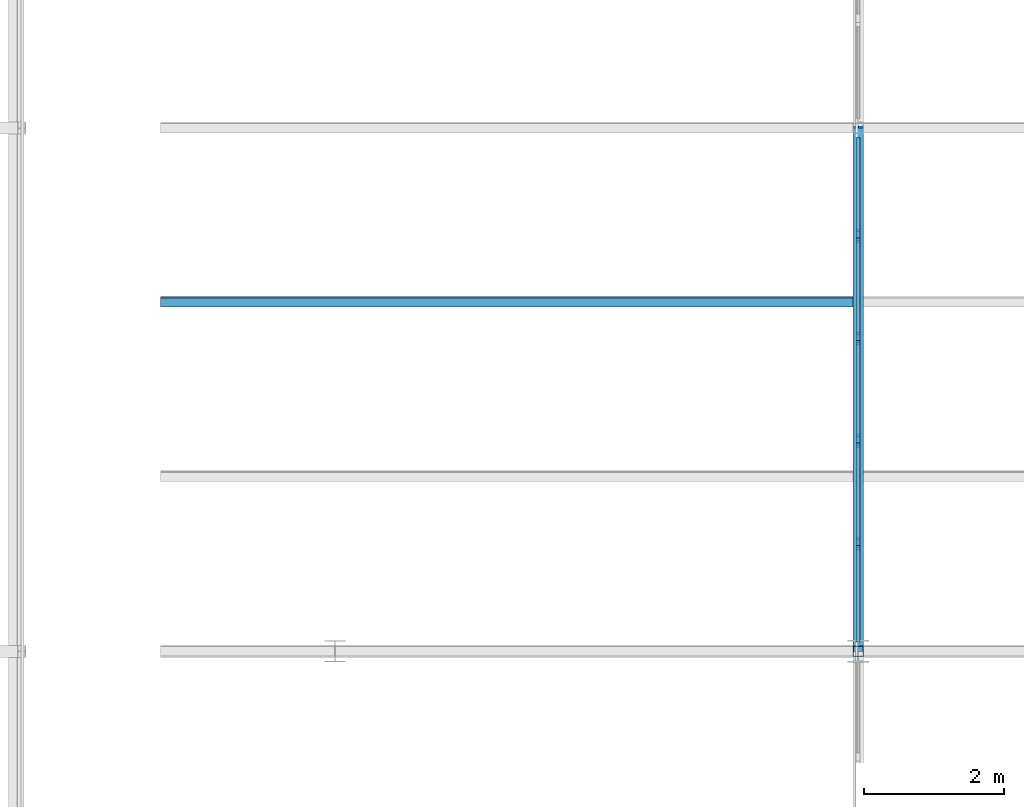
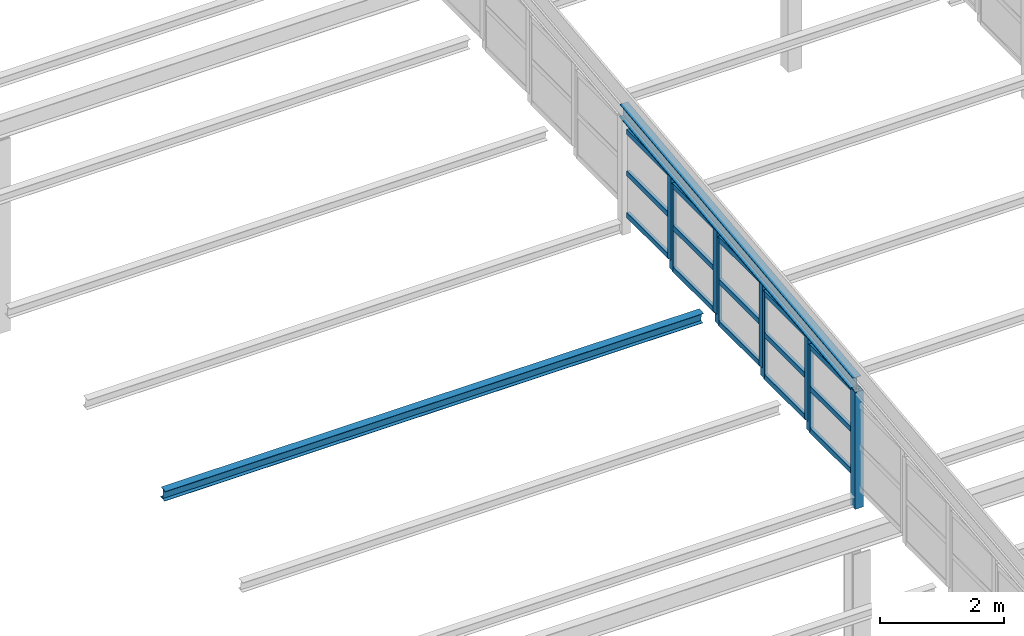
# One storey, part 60 of 483: 25 members, 1 beam, 5 elements without a shape of their own.
"""IFC4 building model written with IfcOpenShell, lengths in metres."""

import ifcopenshell
import ifcopenshell.guid

model = None  # the IFC model being written
_history = None  # IfcOwnerHistory: only IFC2X3 demands one
_inside = {}  # id of a spatial element -> (the spatial element, [elements in it])
_under = {}  # id of a project, library or spatial element -> (it, [spatial elements below it])
_declared = {}  # id of a project -> (the project, [libraries it declares])
_typed = {}  # id of a type object -> (the type object, [elements of that type])
_made_of = {}  # id of a material, layer set ... -> (it, [elements and type objects made of it])


def new_model(schema):
    """Start an empty IFC model of exactly this schema.

    Asked for "IFC4X3", IfcOpenShell would pick the latest addendum, in which some entities
    have other attributes; the version numbers below select the first issue.
    IFC2X3 requires an IfcOwnerHistory on every rooted entity: one is made here for all.
    """
    global model, _history
    if schema == "IFC4X3":
        model = ifcopenshell.file(schema_version=(4, 3, 0, 0))
    else:
        model = ifcopenshell.file(schema=schema)
    _inside.clear()
    _under.clear()
    _declared.clear()
    _typed.clear()
    _made_of.clear()
    _history = None
    if model.schema == "IFC2X3":
        org = make("IfcOrganization", Name="unknown")
        user = make(
            "IfcPersonAndOrganization",
            ThePerson=make("IfcPerson", FamilyName="unknown"),
            TheOrganization=org,
        )
        app = make(
            "IfcApplication",
            ApplicationDeveloper=org,
            Version="unknown",
            ApplicationFullName="unknown",
            ApplicationIdentifier="unknown",
        )
        _history = make(
            "IfcOwnerHistory",
            OwningUser=user,
            OwningApplication=app,
            ChangeAction="ADDED",
            CreationDate=0,
        )
    return model


def make(cls, **values):
    """One entity of the class cls with the attributes given. An attribute that is None is left unset."""
    return model.create_entity(
        cls, **{name: value for name, value in values.items() if value is not None}
    )


def rooted(cls, **values):
    """An entity with a GlobalId (a new one), such as an element, a storey or a relation."""
    return make(cls, GlobalId=ifcopenshell.guid.new(), OwnerHistory=_history, **values)


def si_unit(unit_type, name, prefix=None):
    """IfcSIUnit, for example si_unit("LENGTHUNIT", "METRE", prefix="MILLI")."""
    return make("IfcSIUnit", UnitType=unit_type, Prefix=prefix, Name=name)


def assignment(units):
    """IfcUnitAssignment: the units of a project."""
    return None if units is None else make("IfcUnitAssignment", Units=units)


def point(xyz):
    """IfcCartesianPoint."""
    return None if xyz is None else make("IfcCartesianPoint", Coordinates=xyz)


def direction(xyz):
    """IfcDirection."""
    return None if xyz is None else make("IfcDirection", DirectionRatios=xyz)


def frame(location, z_axis=None, x_axis=None):
    """IfcAxis2Placement3D, a coordinate frame: its origin and axes. An axis left out is left unset."""
    return make(
        "IfcAxis2Placement3D",
        Location=point(location),
        Axis=direction(z_axis),
        RefDirection=direction(x_axis),
    )


def frame_2d(location, x_axis=None):
    """IfcAxis2Placement2D, a coordinate frame in the plane: its origin and x axis."""
    return make(
        "IfcAxis2Placement2D", Location=point(location), RefDirection=direction(x_axis)
    )


def origin():
    """The frame at (0, 0, 0) with its axes left unset."""
    return frame((0.0, 0.0, 0.0))


def origin_2d():
    """The frame at (0, 0) in the plane with its x axis left unset."""
    return frame_2d((0.0, 0.0))


def place(relative_to, where):
    """IfcLocalPlacement: puts the frame where relative to a parent placement (None: the world)."""
    return make(
        "IfcLocalPlacement", PlacementRelTo=relative_to, RelativePlacement=where
    )


def context(
    kind, dimensions, precision=None, world=None, true_north=None, identifier=None
):
    """IfcGeometricRepresentationContext, for example the 3D "Model" context."""
    return make(
        "IfcGeometricRepresentationContext",
        ContextIdentifier=identifier,
        ContextType=kind,
        CoordinateSpaceDimension=dimensions,
        Precision=precision,
        WorldCoordinateSystem=world,
        TrueNorth=true_north,
    )


def subcontext(parent, identifier, kind, view, scale=None):
    """IfcGeometricRepresentationSubContext, for example "Body" below "Model"."""
    return make(
        "IfcGeometricRepresentationSubContext",
        ContextIdentifier=identifier,
        ContextType=kind,
        ParentContext=parent,
        TargetScale=scale,
        TargetView=view,
    )


def project(units=None, contexts=None):
    """IfcProject with its units and contexts."""
    return rooted(
        "IfcProject",
        Name="project",
        RepresentationContexts=contexts,
        UnitsInContext=assignment(units),
    )


def spatial(cls, under=None, at=None, **own):
    """A site, building, storey or space (cls), placed at a placement, below another one or the project."""
    s = rooted(cls, ObjectPlacement=at, **own)
    if under is not None:
        _under.setdefault(under.id(), (under, []))[1].append(s)
    return s


def profile(cls, at=None, kind="AREA", **sizes):
    """A parametric profile (cls). Its sizes go by their IFC names, for example OverallWidth=200.0."""
    return make(cls, ProfileType=kind, Position=at, **sizes)


def rectangle(**sizes):
    """IfcRectangleProfileDef."""
    return profile("IfcRectangleProfileDef", **sizes)


def hollow_rectangle(**sizes):
    """IfcRectangleHollowProfileDef."""
    return profile("IfcRectangleHollowProfileDef", **sizes)


def i_section(**sizes):
    """IfcIShapeProfileDef."""
    return profile("IfcIShapeProfileDef", **sizes)


def extrude(swept, where, along, depth):
    """IfcExtrudedAreaSolid: the profile swept, set in the frame where, extruded along a direction by depth."""
    return make(
        "IfcExtrudedAreaSolid",
        SweptArea=swept,
        Position=where,
        ExtrudedDirection=direction(along),
        Depth=depth,
    )


def shape(context_of_items, identifier, shape_type, items):
    """IfcShapeRepresentation: the items that make up one representation, for example the "Body"."""
    return make(
        "IfcShapeRepresentation",
        ContextOfItems=context_of_items,
        RepresentationIdentifier=identifier,
        RepresentationType=shape_type,
        Items=items,
    )


def material(Name=None, Category=None):
    """IfcMaterial."""
    return make("IfcMaterial", Name=Name, Category=Category)


def material_profile(
    of_material, cross_section, Name=None, Category=None, Priority=None
):
    """IfcMaterialProfile: a cross section and its material."""
    return make(
        "IfcMaterialProfile",
        Name=Name,
        Material=of_material,
        Profile=cross_section,
        Priority=Priority,
        Category=Category,
    )


def profile_set(profiles, Name=None, composite=None):
    """IfcMaterialProfileSet."""
    return make(
        "IfcMaterialProfileSet",
        Name=Name,
        MaterialProfiles=profiles,
        CompositeProfile=composite,
    )


def made_of(thing, what):
    """Note that an element or type object is made of a material, layer set ...; save() writes the relation."""
    if what is not None:
        _made_of.setdefault(what.id(), (what, []))[1].append(thing)
    return thing


def type_object(cls, material=None, **own):
    """A type object (cls), such as IfcWallType, which elements share."""
    return made_of(rooted(cls, **own), material)


def element(
    cls,
    number,
    at=None,
    inside=None,
    cuts=None,
    type_object=None,
    material=None,
    context=None,
    identifier="Body",
    shape_type=None,
    held_by="IfcProductDefinitionShape",
    body=None,
    shapes=None,
    **own,
):
    """One element of the class cls, such as IfcWall. Its Tag is "e" and its number.

    at: its placement. inside: the storey or other place that contains it. cuts: it is an
    opening in that element (IfcRelVoidsElement). A single representation is given by context,
    identifier, shape_type and body (its items); several are given by shapes. held_by: the class
    of the entity that holds the representations. save() writes the other relations.
    """
    e = rooted(cls, Tag="e%d" % number, ObjectPlacement=at, **own)
    if body is not None:
        shapes = [shape(context, identifier, shape_type, body)]
    if shapes is not None:
        e.Representation = make(held_by, Representations=shapes)
    if inside is not None:
        _inside.setdefault(inside.id(), (inside, []))[1].append(e)
    if cuts is not None:
        rooted(
            "IfcRelVoidsElement", RelatingBuildingElement=cuts, RelatedOpeningElement=e
        )
    if type_object is not None:
        _typed.setdefault(type_object.id(), (type_object, []))[1].append(e)
    return made_of(e, material)


def aggregate(whole, parts):
    """IfcRelAggregates: a whole, such as a stair, and the parts it consists of."""
    return rooted("IfcRelAggregates", RelatingObject=whole, RelatedObjects=parts)


def save(model, path):
    """Write the relations noted so far, then the file.

    IfcRelAggregates (storeys below a building ...), IfcRelContainedInSpatialStructure (elements
    in a storey), IfcRelDefinesByType, IfcRelAssociatesMaterial and IfcRelDeclares: one each for
    every whole, place, type object, material and project.
    """
    for whole, parts in _under.values():
        aggregate(whole, parts)
    for where, things in _inside.values():
        rooted(
            "IfcRelContainedInSpatialStructure",
            RelatedElements=things,
            RelatingStructure=where,
        )
    for kind, things in _typed.values():
        rooted("IfcRelDefinesByType", RelatedObjects=things, RelatingType=kind)
    for what, things in _made_of.values():
        rooted("IfcRelAssociatesMaterial", RelatedObjects=things, RelatingMaterial=what)
    for by, libraries in _declared.values():
        rooted("IfcRelDeclares", RelatingContext=by, RelatedDefinitions=libraries)
    model.write(path)


model = new_model("IFC4")

# Units and contexts
model_context = context("Model", 3, precision=1e-05, world=origin(), true_north=direction((0.0, 1.0)))
body_context = subcontext(model_context, "Body", "Model", "MODEL_VIEW")
ifc_project = project(units=[si_unit("LENGTHUNIT", "METRE"), si_unit("AREAUNIT", "SQUARE_METRE"), si_unit("VOLUMEUNIT", "CUBIC_METRE"), si_unit("PLANEANGLEUNIT", "RADIAN"), si_unit("MASSUNIT", "GRAM", prefix="KILO")], contexts=[model_context])

# Site, building, storey
site_placement = place(None, origin())
site = spatial("IfcSite", under=ifc_project, at=site_placement, CompositionType="ELEMENT")
building_placement = place(site_placement, origin())
building = spatial("IfcBuilding", under=site, at=building_placement, Name="Parallax Yard Mobility Hub", CompositionType="ELEMENT")
storey_placement = place(building_placement, frame((0.0, 0.0, 13.199951171875)))
storey = spatial("IfcBuildingStorey", under=building, at=storey_placement, Name="L04", CompositionType="ELEMENT", Elevation=13.199951171875)

# Beam
ifc_material_1 = material(Name="Steel ASTM A992", Category="steel")
ifc_material_profile_1 = material_profile(ifc_material_1, i_section(OverallWidth=0.14794921875, OverallDepth=0.26611328125, WebThickness=0.007568359375, FlangeThickness=0.012939453125, at=origin_2d()), Name="W250x45")
ifc_profile_set_1 = profile_set([ifc_material_profile_1], Name="Steel ASTM A992")
beam_type = type_object("IfcBeamType", Name="Monitor girder W250x45", PredefinedType="BEAM", material=ifc_profile_set_1)
beam_placement = place(storey_placement, frame((157.5, 37.5146484375, 5.349853515625), z_axis=(0.0, 0.993884918264, 0.110420873243), x_axis=(-1.0, 0.0, 0.0)))
element("IfcBeam", 1, at=beam_placement, inside=storey, type_object=beam_type, Name="Monitor girder at x 157.5 bay 5", PredefinedType="BEAM", context=body_context, shape_type="SweptSolid", body=[
    extrude(i_section(OverallWidth=0.14794921875, OverallDepth=0.26611328125, WebThickness=0.007568359375, FlangeThickness=0.012939453125, at=origin_2d()), origin(), (0.0, 0.0, 1.0), 7.546142578125),
])

# Member
ifc_material_2 = material(Name="Steel ASTM A500 Gr C", Category="steel")
ifc_material_profile_2 = material_profile(ifc_material_2, hollow_rectangle(XDim=0.15234375, YDim=0.15234375, WallThickness=0.009521484375, at=origin_2d()), Name="HSS152x152x9.5")
ifc_profile_set_2 = profile_set([ifc_material_profile_2], Name="Steel ASTM A500 Gr C")
member_type_1 = type_object("IfcMemberType", Name="Monitor post HSS152x152x9.5", PredefinedType="POST", material=ifc_profile_set_2)
member_1_placement = place(storey_placement, frame((157.5, 37.5, 2.95068359375), z_axis=(0.0, 0.0, 1.0), x_axis=(1.0, 0.0, 0.0)))
element("IfcMember", 2, at=member_1_placement, inside=storey, type_object=member_type_1, Name="Monitor post at x 157.5 y 37.5", PredefinedType="POST", context=body_context, shape_type="SweptSolid", body=[
    extrude(hollow_rectangle(XDim=0.15234375, YDim=0.15234375, WallThickness=0.009521484375, at=origin_2d()), origin(), (0.0, 0.0, 1.0), 2.295166015625),
])

# Curtain wall, member
ifc_material_3 = material(Name="Thermally broken aluminium curtain wall system", Category="aluminium")
curtain_wall_type = type_object("IfcCurtainWallType", Name="Clerestory glazing run 60 x 120 frame", PredefinedType="NOTDEFINED", material=ifc_material_3)
curtain_wall_1_placement = place(storey_placement, origin())
curtain_wall_1 = element("IfcCurtainWall", 3, at=curtain_wall_1_placement, inside=storey, type_object=curtain_wall_type, Name="Clerestory glazing run Bicycle and shared-mobility hall roof step 1 bay 5 level L02", PredefinedType="NOTDEFINED")
ifc_material_4 = material(Name="Extruded aluminium", Category="aluminium")
ifc_material_profile_3 = material_profile(ifc_material_4, rectangle(XDim=0.06005859375, YDim=0.1201171875, at=origin_2d()), Name="Mullion 60 x 120")
ifc_profile_set_3 = profile_set([ifc_material_profile_3], Name="Extruded aluminium")
member_type_2 = type_object("IfcMemberType", Name="Mullion 60 x 120", PredefinedType="MULLION", material=ifc_profile_set_3)
member_2_placement = place(storey_placement, frame((157.5, 39.015625, 3.521728515625), z_axis=(0.0, 0.0, 1.0), x_axis=(-1.0, 0.0, 0.0)))
member_2 = element("IfcMember", 4, at=member_2_placement, type_object=member_type_2, Name="CW4 mullion 2", PredefinedType="MULLION", context=body_context, shape_type="SweptSolid", body=[
    extrude(rectangle(XDim=0.06005859375, YDim=0.1201171875, at=origin_2d()), origin(), (0.0, 0.0, 1.0), 1.6943359375),
])

# Curtain wall, members
curtain_wall_2_placement = place(storey_placement, origin())
curtain_wall_2 = element("IfcCurtainWall", 5, at=curtain_wall_2_placement, inside=storey, type_object=curtain_wall_type, Name="Clerestory glazing run Bicycle and shared-mobility hall roof step 1 bay 5 level L02", PredefinedType="NOTDEFINED")
member_3_placement = place(storey_placement, frame((157.5, 39.07568359375, 3.684814453125), z_axis=(0.0, 0.0, 1.0), x_axis=(-1.0, 0.0, 0.0)))
member_3 = element("IfcMember", 6, at=member_3_placement, type_object=member_type_2, Name="CW4 mullion 1", PredefinedType="MULLION", context=body_context, shape_type="SweptSolid", body=[
    extrude(rectangle(XDim=0.06005859375, YDim=0.1201171875, at=origin_2d()), origin(), (0.0, 0.0, 1.0), 1.69775390625),
])
member_4_placement = place(storey_placement, frame((157.5, 40.485107421875, 3.684814453125), z_axis=(0.0, 0.0, 1.0), x_axis=(-1.0, 0.0, 0.0)))
member_4 = element("IfcMember", 7, at=member_4_placement, type_object=member_type_2, Name="CW4 mullion 2", PredefinedType="MULLION", context=body_context, shape_type="SweptSolid", body=[
    extrude(rectangle(XDim=0.06005859375, YDim=0.1201171875, at=origin_2d()), origin(), (0.0, 0.0, 1.0), 1.69775390625),
])

curtain_wall_3_placement = place(storey_placement, origin())
curtain_wall_3 = element("IfcCurtainWall", 8, at=curtain_wall_3_placement, inside=storey, type_object=curtain_wall_type, Name="Clerestory glazing run Bicycle and shared-mobility hall roof step 1 bay 5 level L02", PredefinedType="NOTDEFINED")
member_5_placement = place(storey_placement, frame((157.5, 40.545166015625, 3.84814453125), z_axis=(0.0, 0.0, 1.0), x_axis=(-1.0, 0.0, 0.0)))
member_5 = element("IfcMember", 9, at=member_5_placement, type_object=member_type_2, Name="CW4 mullion 1", PredefinedType="MULLION", context=body_context, shape_type="SweptSolid", body=[
    extrude(rectangle(XDim=0.06005859375, YDim=0.1201171875, at=origin_2d()), origin(), (0.0, 0.0, 1.0), 1.701171875),
])
member_6_placement = place(storey_placement, frame((157.5, 41.954833984375, 3.84814453125), z_axis=(0.0, 0.0, 1.0), x_axis=(-1.0, 0.0, 0.0)))
member_6 = element("IfcMember", 10, at=member_6_placement, type_object=member_type_2, Name="CW4 mullion 2", PredefinedType="MULLION", context=body_context, shape_type="SweptSolid", body=[
    extrude(rectangle(XDim=0.06005859375, YDim=0.1201171875, at=origin_2d()), origin(), (0.0, 0.0, 1.0), 1.701171875),
])

curtain_wall_4_placement = place(storey_placement, origin())
curtain_wall_4 = element("IfcCurtainWall", 11, at=curtain_wall_4_placement, inside=storey, type_object=curtain_wall_type, Name="Clerestory glazing run Bicycle and shared-mobility hall roof step 1 bay 5 level L02", PredefinedType="NOTDEFINED")
member_7_placement = place(storey_placement, frame((157.5, 42.014892578125, 4.011474609375), z_axis=(0.0, 0.0, 1.0), x_axis=(-1.0, 0.0, 0.0)))
member_7 = element("IfcMember", 12, at=member_7_placement, type_object=member_type_2, Name="CW4 mullion 1", PredefinedType="MULLION", context=body_context, shape_type="SweptSolid", body=[
    extrude(rectangle(XDim=0.06005859375, YDim=0.1201171875, at=origin_2d()), origin(), (0.0, 0.0, 1.0), 1.693359375),
])
member_8_placement = place(storey_placement, frame((157.5, 43.42431640625, 4.011474609375), z_axis=(0.0, 0.0, 1.0), x_axis=(-1.0, 0.0, 0.0)))
member_8 = element("IfcMember", 13, at=member_8_placement, type_object=member_type_2, Name="CW4 mullion 2", PredefinedType="MULLION", context=body_context, shape_type="SweptSolid", body=[
    extrude(rectangle(XDim=0.06005859375, YDim=0.1201171875, at=origin_2d()), origin(), (0.0, 0.0, 1.0), 1.693359375),
])

# Curtain wall, member
curtain_wall_5_placement = place(storey_placement, origin())
curtain_wall_5 = element("IfcCurtainWall", 14, at=curtain_wall_5_placement, inside=storey, type_object=curtain_wall_type, Name="Clerestory glazing run Bicycle and shared-mobility hall roof step 1 bay 5 level L02", PredefinedType="NOTDEFINED")
member_9_placement = place(storey_placement, frame((157.5, 43.484375, 4.1748046875), z_axis=(0.0, 0.0, 1.0), x_axis=(-1.0, 0.0, 0.0)))
member_9 = element("IfcMember", 15, at=member_9_placement, type_object=member_type_2, Name="CW4 mullion 1", PredefinedType="MULLION", context=body_context, shape_type="SweptSolid", body=[
    extrude(rectangle(XDim=0.06005859375, YDim=0.1201171875, at=origin_2d()), origin(), (0.0, 0.0, 1.0), 1.696533203125),
])

# Member
ifc_material_profile_4 = material_profile(ifc_material_1, i_section(OverallWidth=0.133056640625, OverallDepth=0.20703125, WebThickness=0.005859375, FlangeThickness=0.00830078125, at=origin_2d()), Name="W200x27")
ifc_profile_set_4 = profile_set([ifc_material_profile_4], Name="Steel ASTM A992")
member_type_3 = type_object("IfcMemberType", Name="Roof purlin W200x27", PredefinedType="PURLIN", material=ifc_profile_set_4)
member_10_placement = place(storey_placement, frame((147.5, 42.511474609375, 3.6416015625), z_axis=(1.0, 0.0, 0.0), x_axis=(0.0, 0.993883718765, 0.110431669255)))
element("IfcMember", 16, at=member_10_placement, inside=storey, type_object=member_type_3, Name="Roof purlin west of the monitor at y 42.5", PredefinedType="PURLIN", context=body_context, shape_type="SweptSolid", body=[
    extrude(i_section(OverallWidth=0.133056640625, OverallDepth=0.20703125, WebThickness=0.005859375, FlangeThickness=0.00830078125, at=origin_2d()), origin(), (0.0, 0.0, 1.0), 10.0),
])

ifc_material_profile_5 = material_profile(ifc_material_4, rectangle(XDim=0.06005859375, YDim=0.10009765625, at=origin_2d()), Name="Transom 60 x 100")
ifc_profile_set_5 = profile_set([ifc_material_profile_5], Name="Extruded aluminium")
member_type_4 = type_object("IfcMemberType", Name="Transom 60 x 100", PredefinedType="USERDEFINED", material=ifc_profile_set_5)
member_11_placement = place(storey_placement, frame((157.5, 37.63623046875, 3.5517578125), z_axis=(0.0, 1.0, 0.0), x_axis=(-1.0, 0.0, 0.0)))
member_11 = element("IfcMember", 17, at=member_11_placement, type_object=member_type_4, Name="CW4 transom 1.1", ObjectType="TRANSOM", PredefinedType="USERDEFINED", context=body_context, shape_type="SweptSolid", body=[
    extrude(rectangle(XDim=0.06005859375, YDim=0.10009765625, at=origin_2d()), origin(), (0.0, 0.0, 1.0), 1.349365234375),
])

member_12_placement = place(storey_placement, frame((157.5, 37.63623046875, 4.368896484375), z_axis=(0.0, 1.0, 0.0), x_axis=(-1.0, 0.0, 0.0)))
member_12 = element("IfcMember", 18, at=member_12_placement, type_object=member_type_4, Name="CW4 transom 1.2", ObjectType="TRANSOM", PredefinedType="USERDEFINED", context=body_context, shape_type="SweptSolid", body=[
    extrude(rectangle(XDim=0.06005859375, YDim=0.10009765625, at=origin_2d()), origin(), (0.0, 0.0, 1.0), 1.349365234375),
])

member_13_placement = place(storey_placement, frame((157.5, 37.63623046875, 5.18603515625), z_axis=(0.0, 1.0, 0.0), x_axis=(-1.0, 0.0, 0.0)))
member_13 = element("IfcMember", 19, at=member_13_placement, type_object=member_type_4, Name="CW4 transom 1.3", ObjectType="TRANSOM", PredefinedType="USERDEFINED", context=body_context, shape_type="SweptSolid", body=[
    extrude(rectangle(XDim=0.06005859375, YDim=0.10009765625, at=origin_2d()), origin(), (0.0, 0.0, 1.0), 1.349365234375),
])

aggregate(curtain_wall_1, [member_2, member_11, member_12, member_13])

member_14_placement = place(storey_placement, frame((157.5, 39.105712890625, 3.71484375), z_axis=(0.0, 1.0, 0.0), x_axis=(-1.0, 0.0, 0.0)))
member_14 = element("IfcMember", 20, at=member_14_placement, type_object=member_type_4, Name="CW4 transom 1.1", ObjectType="TRANSOM", PredefinedType="USERDEFINED", context=body_context, shape_type="SweptSolid", body=[
    extrude(rectangle(XDim=0.06005859375, YDim=0.10009765625, at=origin_2d()), origin(), (0.0, 0.0, 1.0), 1.349365234375),
])

member_15_placement = place(storey_placement, frame((157.5, 39.105712890625, 4.53369140625), z_axis=(0.0, 1.0, 0.0), x_axis=(-1.0, 0.0, 0.0)))
member_15 = element("IfcMember", 21, at=member_15_placement, type_object=member_type_4, Name="CW4 transom 1.2", ObjectType="TRANSOM", PredefinedType="USERDEFINED", context=body_context, shape_type="SweptSolid", body=[
    extrude(rectangle(XDim=0.06005859375, YDim=0.10009765625, at=origin_2d()), origin(), (0.0, 0.0, 1.0), 1.349365234375),
])

member_16_placement = place(storey_placement, frame((157.5, 39.105712890625, 5.3525390625), z_axis=(0.0, 1.0, 0.0), x_axis=(-1.0, 0.0, 0.0)))
member_16 = element("IfcMember", 22, at=member_16_placement, type_object=member_type_4, Name="CW4 transom 1.3", ObjectType="TRANSOM", PredefinedType="USERDEFINED", context=body_context, shape_type="SweptSolid", body=[
    extrude(rectangle(XDim=0.06005859375, YDim=0.10009765625, at=origin_2d()), origin(), (0.0, 0.0, 1.0), 1.349365234375),
])

aggregate(curtain_wall_2, [member_3, member_4, member_14, member_15, member_16])

member_17_placement = place(storey_placement, frame((157.5, 40.5751953125, 3.878173828125), z_axis=(0.0, 1.0, 0.0), x_axis=(-1.0, 0.0, 0.0)))
member_17 = element("IfcMember", 23, at=member_17_placement, type_object=member_type_4, Name="CW4 transom 1.1", ObjectType="TRANSOM", PredefinedType="USERDEFINED", context=body_context, shape_type="SweptSolid", body=[
    extrude(rectangle(XDim=0.06005859375, YDim=0.10009765625, at=origin_2d()), origin(), (0.0, 0.0, 1.0), 1.349609375),
])

member_18_placement = place(storey_placement, frame((157.5, 40.5751953125, 4.69873046875), z_axis=(0.0, 1.0, 0.0), x_axis=(-1.0, 0.0, 0.0)))
member_18 = element("IfcMember", 24, at=member_18_placement, type_object=member_type_4, Name="CW4 transom 1.2", ObjectType="TRANSOM", PredefinedType="USERDEFINED", context=body_context, shape_type="SweptSolid", body=[
    extrude(rectangle(XDim=0.06005859375, YDim=0.10009765625, at=origin_2d()), origin(), (0.0, 0.0, 1.0), 1.349609375),
])

member_19_placement = place(storey_placement, frame((157.5, 40.5751953125, 5.519287109375), z_axis=(0.0, 1.0, 0.0), x_axis=(-1.0, 0.0, 0.0)))
member_19 = element("IfcMember", 25, at=member_19_placement, type_object=member_type_4, Name="CW4 transom 1.3", ObjectType="TRANSOM", PredefinedType="USERDEFINED", context=body_context, shape_type="SweptSolid", body=[
    extrude(rectangle(XDim=0.06005859375, YDim=0.10009765625, at=origin_2d()), origin(), (0.0, 0.0, 1.0), 1.349609375),
])

aggregate(curtain_wall_3, [member_5, member_6, member_17, member_18, member_19])

member_20_placement = place(storey_placement, frame((157.5, 42.044921875, 4.04150390625), z_axis=(0.0, 1.0, 0.0), x_axis=(-1.0, 0.0, 0.0)))
member_20 = element("IfcMember", 26, at=member_20_placement, type_object=member_type_4, Name="CW4 transom 1.1", ObjectType="TRANSOM", PredefinedType="USERDEFINED", context=body_context, shape_type="SweptSolid", body=[
    extrude(rectangle(XDim=0.06005859375, YDim=0.10009765625, at=origin_2d()), origin(), (0.0, 0.0, 1.0), 1.349365234375),
])

member_21_placement = place(storey_placement, frame((157.5, 42.044921875, 4.858154296875), z_axis=(0.0, 1.0, 0.0), x_axis=(-1.0, 0.0, 0.0)))
member_21 = element("IfcMember", 27, at=member_21_placement, type_object=member_type_4, Name="CW4 transom 1.2", ObjectType="TRANSOM", PredefinedType="USERDEFINED", context=body_context, shape_type="SweptSolid", body=[
    extrude(rectangle(XDim=0.06005859375, YDim=0.10009765625, at=origin_2d()), origin(), (0.0, 0.0, 1.0), 1.349365234375),
])

member_22_placement = place(storey_placement, frame((157.5, 42.044921875, 5.6748046875), z_axis=(0.0, 1.0, 0.0), x_axis=(-1.0, 0.0, 0.0)))
member_22 = element("IfcMember", 28, at=member_22_placement, type_object=member_type_4, Name="CW4 transom 1.3", ObjectType="TRANSOM", PredefinedType="USERDEFINED", context=body_context, shape_type="SweptSolid", body=[
    extrude(rectangle(XDim=0.06005859375, YDim=0.10009765625, at=origin_2d()), origin(), (0.0, 0.0, 1.0), 1.349365234375),
])

aggregate(curtain_wall_4, [member_7, member_8, member_20, member_21, member_22])

member_23_placement = place(storey_placement, frame((157.5, 43.514404296875, 4.204833984375), z_axis=(0.0, 1.0, 0.0), x_axis=(-1.0, 0.0, 0.0)))
member_23 = element("IfcMember", 29, at=member_23_placement, type_object=member_type_4, Name="CW4 transom 1.1", ObjectType="TRANSOM", PredefinedType="USERDEFINED", context=body_context, shape_type="SweptSolid", body=[
    extrude(rectangle(XDim=0.06005859375, YDim=0.10009765625, at=origin_2d()), origin(), (0.0, 0.0, 1.0), 1.349365234375),
])

member_24_placement = place(storey_placement, frame((157.5, 43.514404296875, 5.023193359375), z_axis=(0.0, 1.0, 0.0), x_axis=(-1.0, 0.0, 0.0)))
member_24 = element("IfcMember", 30, at=member_24_placement, type_object=member_type_4, Name="CW4 transom 1.2", ObjectType="TRANSOM", PredefinedType="USERDEFINED", context=body_context, shape_type="SweptSolid", body=[
    extrude(rectangle(XDim=0.06005859375, YDim=0.10009765625, at=origin_2d()), origin(), (0.0, 0.0, 1.0), 1.349365234375),
])

member_25_placement = place(storey_placement, frame((157.5, 43.514404296875, 5.841552734375), z_axis=(0.0, 1.0, 0.0), x_axis=(-1.0, 0.0, 0.0)))
member_25 = element("IfcMember", 31, at=member_25_placement, type_object=member_type_4, Name="CW4 transom 1.3", ObjectType="TRANSOM", PredefinedType="USERDEFINED", context=body_context, shape_type="SweptSolid", body=[
    extrude(rectangle(XDim=0.06005859375, YDim=0.10009765625, at=origin_2d()), origin(), (0.0, 0.0, 1.0), 1.349365234375),
])

aggregate(curtain_wall_5, [member_9, member_23, member_24, member_25])

save(model, "model.ifc")
